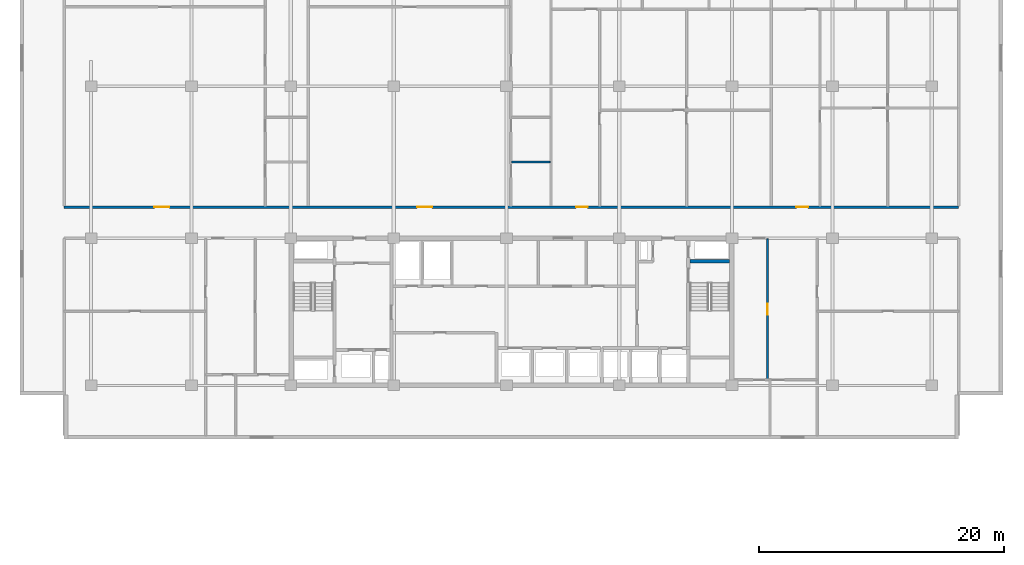
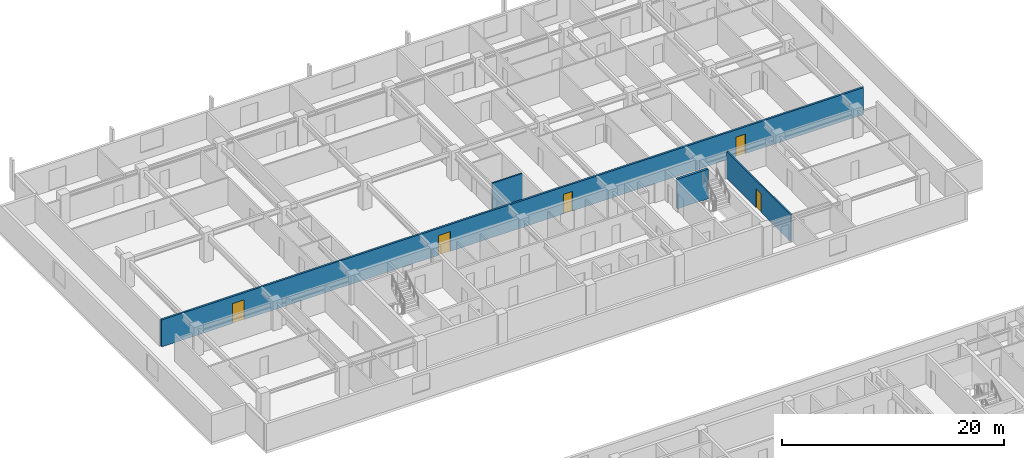
# One storey, part 12 of 21: 5 doors, 4 walls, 5 openings.
"""IFC4 building model written with IfcOpenShell, lengths in metres."""

from ifc_helpers import new_model, si_unit, direction, frame, frame_2d, origin, place, context, subcontext, project, spatial, rectangle, extrude, material, layer, layer_set, type_object, element, fill, save


model = new_model("IFC4")

# Units and contexts
model_context = context("Model", 3, precision=1e-05, world=origin(), true_north=direction((0.0, 1.0)))
body_context = subcontext(model_context, "Body", "Model", "MODEL_VIEW")
ifc_project = project(units=[si_unit("LENGTHUNIT", "METRE"), si_unit("AREAUNIT", "SQUARE_METRE"), si_unit("VOLUMEUNIT", "CUBIC_METRE"), si_unit("PLANEANGLEUNIT", "RADIAN"), si_unit("MASSUNIT", "GRAM", prefix="KILO")], contexts=[model_context])

# Site, building, storey
site_placement = place(None, origin())
site = spatial("IfcSite", under=ifc_project, at=site_placement, CompositionType="ELEMENT")
building_placement = place(site_placement, origin())
building = spatial("IfcBuilding", under=site, at=building_placement, Name="Korimba Cascade Residences", CompositionType="ELEMENT")
storey_placement = place(building_placement, frame((0.0, 0.0, 116.550048828125)))
storey = spatial("IfcBuildingStorey", under=building, at=storey_placement, Name="L33", CompositionType="ELEMENT", Elevation=116.550048828125)

# Wall, openings, doors
ifc_material_1 = material(Name="Precast concrete C40/50", Category="concrete")
ifc_layer_1 = layer(ifc_material_1, 0.199951171875)
ifc_layer_set_1 = layer_set([ifc_layer_1], Name="Precast concrete C40/50")
wall_type_1 = type_object("IfcWallType", Name="WAL-IT-200", PredefinedType="PARTITIONING", material=ifc_layer_set_1)
wall_1_placement = place(storey_placement, frame((57.60009765625, 69.75, 0.0), z_axis=(0.0, 0.0, 1.0), x_axis=(1.0, 0.0, 0.0)))
wall_1 = element("IfcWall", 1, at=wall_1_placement, inside=storey, type_object=wall_type_1, Name="L33 Partition Wall WAL-L33-T1-CORN", PredefinedType="PARTITIONING", context=body_context, shape_type="SweptSolid", body=[
    extrude(rectangle(XDim=73.0, YDim=0.199951171875, at=frame_2d((36.5, 0.0))), origin(), (0.0, 0.0, 1.0), 2.969970703125),
])
opening_1_placement = place(wall_1_placement, frame((7.36376953125, 0.0, 0.0)))
opening_1 = element("IfcOpeningElement", 2, at=opening_1_placement, cuts=wall_1, Name="Opening D-AM1", PredefinedType="OPENING", context=body_context, shape_type="SweptSolid", body=[
    extrude(rectangle(XDim=1.219970703125, YDim=2.179931640625, at=frame_2d((0.60986328125, 1.08984375))), frame((0.0, 0.10986328125, 0.0), z_axis=(0.0, -1.0, 0.0), x_axis=(1.0, 0.0, 0.0)), (0.0, 0.0, 1.0), 0.219970703125),
])
opening_2_placement = place(wall_1_placement, frame((28.81298828125, 0.0, 0.0)))
opening_2 = element("IfcOpeningElement", 3, at=opening_2_placement, cuts=wall_1, Name="Opening D-AM1", PredefinedType="OPENING", context=body_context, shape_type="SweptSolid", body=[
    extrude(rectangle(XDim=1.219970703125, YDim=2.179931640625, at=frame_2d((0.60986328125, 1.08984375))), frame((0.0, 0.10986328125, 0.0), z_axis=(0.0, -1.0, 0.0), x_axis=(1.0, 0.0, 0.0)), (0.0, 0.0, 1.0), 0.219970703125),
])
opening_3_placement = place(wall_1_placement, frame((41.776611328125, 0.0, 0.0)))
opening_3 = element("IfcOpeningElement", 4, at=opening_3_placement, cuts=wall_1, Name="Opening D-UN1", PredefinedType="OPENING", context=body_context, shape_type="SweptSolid", body=[
    extrude(rectangle(XDim=0.949951171875, YDim=2.14990234375, at=frame_2d((0.47509765625, 1.074951171875))), frame((0.0, 0.10986328125, 0.0), z_axis=(0.0, -1.0, 0.0), x_axis=(1.0, 0.0, 0.0)), (0.0, 0.0, 1.0), 0.219970703125),
])
opening_4_placement = place(wall_1_placement, frame((59.76611328125, 0.0, 0.0)))
opening_4 = element("IfcOpeningElement", 5, at=opening_4_placement, cuts=wall_1, Name="Opening D-UN1", PredefinedType="OPENING", context=body_context, shape_type="SweptSolid", body=[
    extrude(rectangle(XDim=0.949951171875, YDim=2.14990234375, at=frame_2d((0.47509765625, 1.074951171875))), frame((0.0, 0.10986328125, 0.0), z_axis=(0.0, -1.0, 0.0), x_axis=(1.0, 0.0, 0.0)), (0.0, 0.0, 1.0), 0.219970703125),
])
ifc_material_2 = material(Name="Fire-Rated Glazed Timber Suite Door", Category="wood")
door_type_1 = type_object("IfcDoorType", Name="DR-FD60-1200", OperationType="NOTDEFINED", PredefinedType="DOOR", material=ifc_material_2)
door_1_placement = place(opening_1_placement, origin())
door_1 = element("IfcDoor", 6, at=door_1_placement, inside=storey, type_object=door_type_1, Name="L33-T1-U01 Health Consultation Clinic Door", OperationType="SINGLE_SWING_RIGHT", OverallHeight=2.179931640625, OverallWidth=1.219970703125, PredefinedType="DOOR", context=body_context, shape_type="SweptSolid", body=[
    extrude(rectangle(XDim=1.219970703125, YDim=2.179931640625, at=frame_2d((0.60986328125, 1.08984375))), frame((0.0, 0.02490234375, 0.0), z_axis=(0.0, -1.0, 0.0), x_axis=(1.0, 0.0, 0.0)), (0.0, 0.0, 1.0), 0.050048828125),
])
fill(opening_1, door_1)
door_2_placement = place(opening_2_placement, origin())
door_2 = element("IfcDoor", 7, at=door_2_placement, inside=storey, type_object=door_type_1, Name="L33-T1-U02 Health Consultation Clinic Door", OperationType="SINGLE_SWING_LEFT", OverallHeight=2.179931640625, OverallWidth=1.219970703125, PredefinedType="DOOR", context=body_context, shape_type="SweptSolid", body=[
    extrude(rectangle(XDim=1.219970703125, YDim=2.179931640625, at=frame_2d((0.60986328125, 1.08984375))), frame((0.0, 0.02490234375, 0.0), z_axis=(0.0, -1.0, 0.0), x_axis=(1.0, 0.0, 0.0)), (0.0, 0.0, 1.0), 0.050048828125),
])
fill(opening_2, door_2)
ifc_material_3 = material(Name="Fire-Rated Hardwood Apartment Entrance Door", Category="wood")
door_type_2 = type_object("IfcDoorType", Name="DR-FD60-950", OperationType="NOTDEFINED", PredefinedType="DOOR", material=ifc_material_3)
door_3_placement = place(opening_3_placement, origin())
door_3 = element("IfcDoor", 8, at=door_3_placement, inside=storey, type_object=door_type_2, Name="Unit L33-T1-U03 Entrance Door", OperationType="SINGLE_SWING_RIGHT", OverallHeight=2.14990234375, OverallWidth=0.949951171875, PredefinedType="DOOR", context=body_context, shape_type="SweptSolid", body=[
    extrude(rectangle(XDim=0.949951171875, YDim=2.14990234375, at=frame_2d((0.47509765625, 1.074951171875))), frame((0.0, 0.02490234375, 0.0), z_axis=(0.0, -1.0, 0.0), x_axis=(1.0, 0.0, 0.0)), (0.0, 0.0, 1.0), 0.050048828125),
])
fill(opening_3, door_3)
door_4_placement = place(opening_4_placement, origin())
door_4 = element("IfcDoor", 9, at=door_4_placement, inside=storey, type_object=door_type_2, Name="Unit L33-T1-U04 Entrance Door", OperationType="SINGLE_SWING_LEFT", OverallHeight=2.14990234375, OverallWidth=0.949951171875, PredefinedType="DOOR", context=body_context, shape_type="SweptSolid", body=[
    extrude(rectangle(XDim=0.949951171875, YDim=2.14990234375, at=frame_2d((0.47509765625, 1.074951171875))), frame((0.0, 0.02490234375, 0.0), z_axis=(0.0, -1.0, 0.0), x_axis=(1.0, 0.0, 0.0)), (0.0, 0.0, 1.0), 0.050048828125),
])
fill(opening_4, door_4)

# Wall, opening, door
ifc_material_4 = material(Name="Insulated Acoustic Stud Partition", Category="gypsum")
ifc_layer_2 = layer(ifc_material_4, 0.14990234375)
ifc_layer_set_2 = layer_set([ifc_layer_2], Name="Insulated Acoustic Stud Partition")
wall_type_2 = type_object("IfcWallType", Name="WAL-PART-150", PredefinedType="PARTITIONING", material=ifc_layer_set_2)
wall_2_placement = place(storey_placement, frame((115.0, 55.64990234375, 0.0), z_axis=(0.0, 0.0, 1.0), x_axis=(0.0, 1.0, 0.0)))
wall_2 = element("IfcWall", 10, at=wall_2_placement, inside=storey, type_object=wall_type_2, Name="L33 Partition Wall WAL-L33-T1-FE-VN", PredefinedType="PARTITIONING", context=body_context, shape_type="SweptSolid", body=[
    extrude(rectangle(XDim=11.5, YDim=0.14990234375, at=frame_2d((5.75, 0.0))), origin(), (0.0, 0.0, 1.0), 2.969970703125),
])
opening_5_placement = place(wall_2_placement, frame((5.2900390625, 0.0, 0.0)))
opening_5 = element("IfcOpeningElement", 11, at=opening_5_placement, cuts=wall_2, Name="Opening D-IN1", PredefinedType="OPENING", context=body_context, shape_type="SweptSolid", body=[
    extrude(rectangle(XDim=0.919921875, YDim=2.080078125, at=frame_2d((0.4599609375, 1.0400390625))), frame((0.0, 0.0849609375, 0.0), z_axis=(0.0, -1.0, 0.0), x_axis=(1.0, 0.0, 0.0)), (0.0, 0.0, 1.0), 0.169921875),
])
ifc_material_5 = material(Name="Acoustic Timber Living Door", Category="wood")
door_type_3 = type_object("IfcDoorType", Name="DR-INT-920", OperationType="NOTDEFINED", PredefinedType="DOOR", material=ifc_material_5)
door_5_placement = place(opening_5_placement, origin())
door_5 = element("IfcDoor", 12, at=door_5_placement, inside=storey, type_object=door_type_3, Name="L33-T1-FE Living Door", OperationType="SINGLE_SWING_RIGHT", OverallHeight=2.080078125, OverallWidth=0.919921875, PredefinedType="DOOR", context=body_context, shape_type="SweptSolid", body=[
    extrude(rectangle(XDim=0.919921875, YDim=2.080078125, at=frame_2d((0.4599609375, 1.0400390625))), frame((0.0, 0.02490234375, 0.0), z_axis=(0.0, -1.0, 0.0), x_axis=(1.0, 0.0, 0.0)), (0.0, 0.0, 1.0), 0.050048828125),
])
fill(opening_5, door_5)

# Walls
wall_3_placement = place(storey_placement, frame((94.12158203125, 73.419921875, 0.0), z_axis=(0.0, 0.0, 1.0), x_axis=(1.0, 0.0, 0.0)))
element("IfcWall", 13, at=wall_3_placement, inside=storey, type_object=wall_type_2, Name="L33 Partition Wall WAL-L33-T1-U02-WCH", PredefinedType="PARTITIONING", context=body_context, shape_type="SweptSolid", body=[
    extrude(rectangle(XDim=3.130126953125, YDim=0.14990234375, at=frame_2d((1.56494140625, 0.0))), origin(), (0.0, 0.0, 1.0), 2.969970703125),
])
ifc_material_6 = material(Name="Concrete C50/60", Category="concrete")
ifc_layer_3 = layer(ifc_material_6, 0.25)
ifc_layer_set_3 = layer_set([ifc_layer_3], Name="Concrete C50/60")
wall_type_3 = type_object("IfcWallType", Name="WAL-SHAFT-250", PredefinedType="SHEAR", material=ifc_layer_set_3)
wall_4_placement = place(storey_placement, frame((108.659912109375, 65.324951171875, 0.0), z_axis=(0.0, 0.0, 1.0), x_axis=(1.0, 0.0, 0.0)))
element("IfcWall", 14, at=wall_4_placement, inside=storey, type_object=wall_type_3, Name="L33 Core Shear Wall CW-L33-T1-STW2N", PredefinedType="SHEAR", context=body_context, shape_type="SweptSolid", body=[
    extrude(rectangle(XDim=3.239990234375, YDim=0.25, at=frame_2d((1.6201171875, 0.0))), origin(), (0.0, 0.0, 1.0), 3.25),
])

save(model, "model.ifc")
